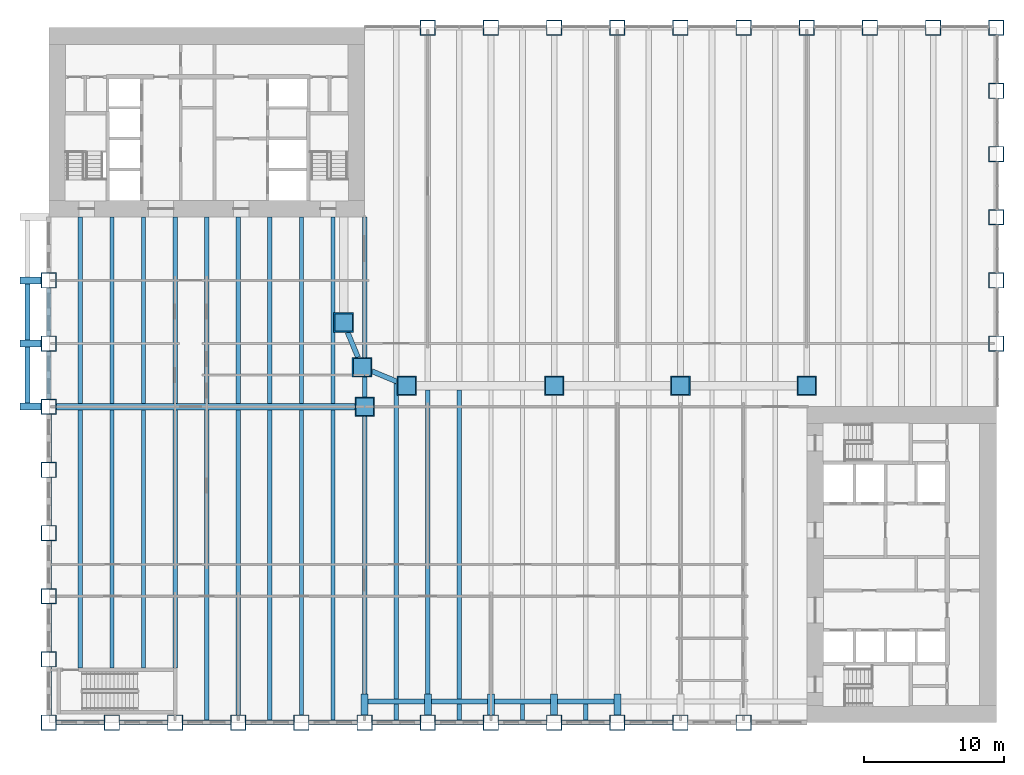
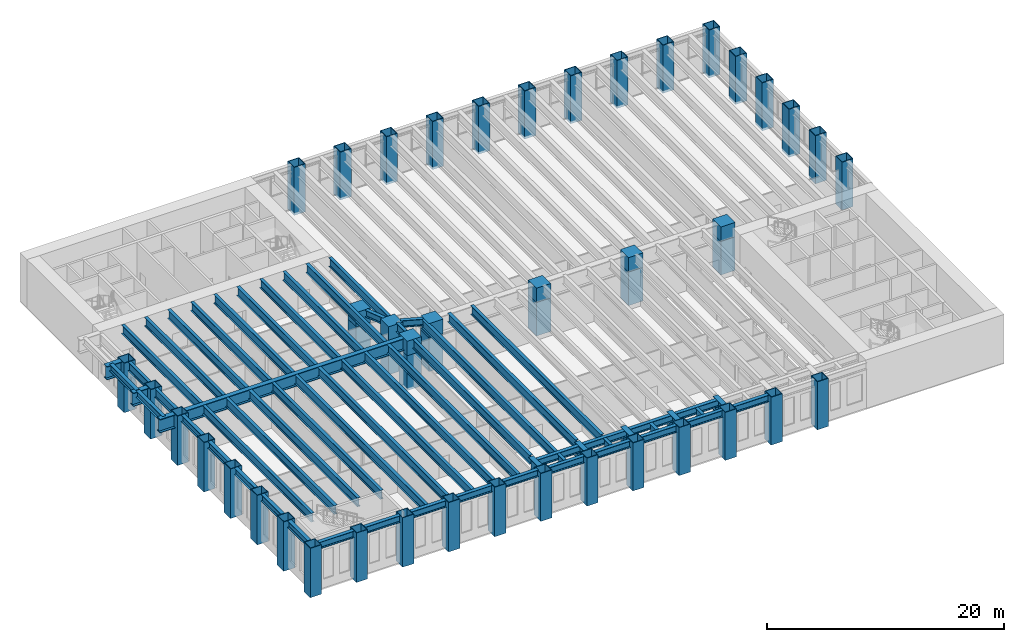
# One storey, part 1 of 21: 62 beams, 48 columns.
"""IFC4 building model written with IfcOpenShell, lengths in metres."""

from ifc_helpers import new_model, si_unit, direction, frame, origin, origin_2d, place, context, subcontext, project, spatial, rectangle, hollow_rectangle, i_section, extrude, material, material_profile, profile_set, type_object, element, save


model = new_model("IFC4")

# Units and contexts
model_context = context("Model", 3, precision=1e-05, world=origin(), true_north=direction((0.0, 1.0)))
body_context = subcontext(model_context, "Body", "Model", "MODEL_VIEW")
ifc_project = project(units=[si_unit("LENGTHUNIT", "METRE"), si_unit("AREAUNIT", "SQUARE_METRE"), si_unit("VOLUMEUNIT", "CUBIC_METRE"), si_unit("PLANEANGLEUNIT", "RADIAN"), si_unit("MASSUNIT", "GRAM", prefix="KILO")], contexts=[model_context])

# Site, building, storey
site_placement = place(None, origin())
site = spatial("IfcSite", under=ifc_project, at=site_placement, CompositionType="ELEMENT")
building_placement = place(site_placement, origin())
building = spatial("IfcBuilding", under=site, at=building_placement, Name="Sennacour Bend Tower", CompositionType="ELEMENT")
storey_placement = place(building_placement, frame((0.0, 0.0, 24.0)))
storey = spatial("IfcBuildingStorey", under=building, at=storey_placement, Name="L04", CompositionType="ELEMENT", Elevation=24.0)

# Columns
ifc_material_1 = material(Name="Steel ASTM A572 Grade 50", Category="steel")
ifc_material_profile_1 = material_profile(ifc_material_1, hollow_rectangle(XDim=1.10009765625, YDim=1.10009765625, WallThickness=0.06005859375, at=origin_2d()), Name="Steel ASTM A572 Grade 50", Category="steel")
ifc_profile_set_1 = profile_set([ifc_material_profile_1], Name="Steel ASTM A572 Grade 50")
column_type_1 = type_object("IfcColumnType", Name="Box column 1100", PredefinedType="COLUMN", material=ifc_profile_set_1)
for number, where, z_axis, x_axis, name in (
    (1, (0.0, 0.0, -0.25), (0.0, 0.0, 1.0), (1.0, 0.0, 0.0), "Perimeter column C1 L04-001"),
    (2, (0.0, 4.5, -0.25), (0.0, 0.0, 1.0), (1.0, 0.0, 0.0), "Perimeter column C1 L04-002"),
    (3, (0.0, 9.0, -0.25), (0.0, 0.0, 1.0), (1.0, 0.0, 0.0), "Perimeter column C1 L04-003"),
    (4, (0.0, 13.5, -0.25), (0.0, 0.0, 1.0), (1.0, 0.0, 0.0), "Perimeter column C1 L04-004"),
    (5, (0.0, 18.0, -0.25), (0.0, 0.0, 1.0), (1.0, 0.0, 0.0), "Perimeter column C1 L04-005"),
    (6, (0.0, 22.5, -0.25), (0.0, 0.0, 1.0), (1.0, 0.0, 0.0), "Perimeter column C1 L04-006"),
    (7, (0.0, 27.0, -0.25), (0.0, 0.0, 1.0), (1.0, 0.0, 0.0), "Perimeter column C1 L04-007"),
    (8, (0.0, 31.5, -0.25), (0.0, 0.0, 1.0), (1.0, 0.0, 0.0), "Perimeter column C1 L04-008"),
    (9, (4.5, 0.0, -0.25), (0.0, 0.0, 1.0), (1.0, 0.0, 0.0), "Perimeter column C1 L04-009"),
    (10, (9.0, 0.0, -0.25), (0.0, 0.0, 1.0), (1.0, 0.0, 0.0), "Perimeter column C1 L04-010"),
    (11, (13.5, 0.0, -0.25), (0.0, 0.0, 1.0), (1.0, 0.0, 0.0), "Perimeter column C1 L04-011"),
    (12, (18.0, 0.0, -0.25), (0.0, 0.0, 1.0), (1.0, 0.0, 0.0), "Perimeter column C1 L04-012"),
):
    element("IfcColumn", number, at=place(storey_placement, frame(where, z_axis=z_axis, x_axis=x_axis)), inside=storey, type_object=column_type_1, Name=name, PredefinedType="COLUMN", context=body_context, shape_type="SweptSolid", body=[
        extrude(hollow_rectangle(XDim=1.10009765625, YDim=1.10009765625, WallThickness=0.06005859375, at=origin_2d()), origin(), (0.0, 0.0, 1.0), 5.10009765625),
    ])
for number, where, z_axis, x_axis, name in (
    (13, (22.5, 0.0, -0.25), (0.0, 0.0, 1.0), (1.0, 0.0, 0.0), "Perimeter column C1 L04-015"),
    (14, (27.0, 0.0, -0.25), (0.0, 0.0, 1.0), (1.0, 0.0, 0.0), "Perimeter column C1 L04-018"),
    (15, (27.0, 49.5, -0.25), (0.0, 0.0, 1.0), (1.0, 0.0, 0.0), "Perimeter column C1 L04-019"),
    (16, (31.5, 0.0, -0.25), (0.0, 0.0, 1.0), (1.0, 0.0, 0.0), "Perimeter column C1 L04-020"),
    (17, (31.5, 49.5, -0.25), (0.0, 0.0, 1.0), (1.0, 0.0, 0.0), "Perimeter column C1 L04-021"),
    (18, (36.0, 0.0, -0.25), (0.0, 0.0, 1.0), (1.0, 0.0, 0.0), "Perimeter column C1 L04-022"),
    (19, (36.0, 49.5, -0.25), (0.0, 0.0, 1.0), (1.0, 0.0, 0.0), "Perimeter column C1 L04-024"),
    (20, (40.5, 0.0, -0.25), (0.0, 0.0, 1.0), (1.0, 0.0, 0.0), "Perimeter column C1 L04-025"),
    (21, (40.5, 49.5, -0.25), (0.0, 0.0, 1.0), (1.0, 0.0, 0.0), "Perimeter column C1 L04-026"),
    (22, (45.0, 0.0, -0.25), (0.0, 0.0, 1.0), (1.0, 0.0, 0.0), "Perimeter column C1 L04-027"),
    (23, (45.0, 49.5, -0.25), (0.0, 0.0, 1.0), (1.0, 0.0, 0.0), "Perimeter column C1 L04-029"),
    (24, (49.5, 0.0, -0.25), (0.0, 0.0, 1.0), (1.0, 0.0, 0.0), "Perimeter column C1 L04-030"),
    (25, (49.5, 49.5, -0.25), (0.0, 0.0, 1.0), (1.0, 0.0, 0.0), "Perimeter column C1 L04-031"),
    (26, (54.0, 49.5, -0.25), (0.0, 0.0, 1.0), (1.0, 0.0, 0.0), "Perimeter column C1 L04-033"),
    (27, (58.5, 49.5, -0.25), (0.0, 0.0, 1.0), (1.0, 0.0, 0.0), "Perimeter column C1 L04-034"),
    (28, (63.0, 49.5, -0.25), (0.0, 0.0, 1.0), (1.0, 0.0, 0.0), "Perimeter column C1 L04-035"),
    (29, (67.5, 27.0, -0.25), (0.0, 0.0, 1.0), (1.0, 0.0, 0.0), "Perimeter column C1 L04-036"),
    (30, (67.5, 31.5, -0.25), (0.0, 0.0, 1.0), (1.0, 0.0, 0.0), "Perimeter column C1 L04-037"),
    (31, (67.5, 36.0, -0.25), (0.0, 0.0, 1.0), (1.0, 0.0, 0.0), "Perimeter column C1 L04-038"),
    (32, (67.5, 40.5, -0.25), (0.0, 0.0, 1.0), (1.0, 0.0, 0.0), "Perimeter column C1 L04-039"),
    (33, (67.5, 45.0, -0.25), (0.0, 0.0, 1.0), (1.0, 0.0, 0.0), "Perimeter column C1 L04-040"),
    (34, (67.5, 49.5, -0.25), (0.0, 0.0, 1.0), (1.0, 0.0, 0.0), "Perimeter column C1 L04-041"),
):
    element("IfcColumn", number, at=place(storey_placement, frame(where, z_axis=z_axis, x_axis=x_axis)), inside=storey, type_object=column_type_1, Name=name, PredefinedType="COLUMN", context=body_context, shape_type="SweptSolid", body=[
        extrude(hollow_rectangle(XDim=1.10009765625, YDim=1.10009765625, WallThickness=0.06005859375, at=origin_2d()), origin(), (0.0, 0.0, 1.0), 4.949951171875),
    ])
ifc_material_profile_2 = material_profile(ifc_material_1, rectangle(XDim=1.39990234375, YDim=1.39990234375, at=origin_2d()), Name="Steel ASTM A572 Grade 50", Category="steel")
ifc_profile_set_2 = profile_set([ifc_material_profile_2], Name="Steel ASTM A572 Grade 50")
column_type_2 = type_object("IfcColumnType", Name="Column head block 1400", PredefinedType="COLUMN", material=ifc_profile_set_2)
for number, where, z_axis, x_axis, name in (
    (35, (21.0, 28.5, 3.199951171875), (0.0, 0.0, 1.0), (1.0, 0.0, 0.0), "Column head block L04-013"),
    (36, (22.318115234375, 25.318115234375, 3.199951171875), (0.0, 0.0, 1.0), (1.0, 0.0, 0.0), "Column head block L04-014"),
    (37, (22.5, 22.5, 3.35009765625), (0.0, 0.0, 1.0), (1.0, 0.0, 0.0), "Column head block L04-016"),
    (38, (25.5, 24.0, 3.199951171875), (0.0, 0.0, 1.0), (1.0, 0.0, 0.0), "Column head block L04-017"),
    (39, (36.0, 24.0, 3.199951171875), (0.0, 0.0, 1.0), (1.0, 0.0, 0.0), "Column head block L04-023"),
    (40, (45.0, 24.0, 3.199951171875), (0.0, 0.0, 1.0), (1.0, 0.0, 0.0), "Column head block L04-028"),
    (41, (54.0, 24.0, 3.199951171875), (0.0, 0.0, 1.0), (1.0, 0.0, 0.0), "Column head block L04-032"),
):
    element("IfcColumn", number, at=place(storey_placement, frame(where, z_axis=z_axis, x_axis=x_axis)), inside=storey, type_object=column_type_2, Name=name, PredefinedType="COLUMN", context=body_context, shape_type="SweptSolid", body=[
        extrude(rectangle(XDim=1.39990234375, YDim=1.39990234375, at=origin_2d()), origin(), (0.0, 0.0, 1.0), 1.5),
    ])
ifc_material_profile_3 = material_profile(ifc_material_1, hollow_rectangle(XDim=1.39990234375, YDim=1.39990234375, WallThickness=0.080078125, at=origin_2d()), Name="Steel ASTM A572 Grade 50", Category="steel")
ifc_profile_set_3 = profile_set([ifc_material_profile_3], Name="Steel ASTM A572 Grade 50")
column_type_3 = type_object("IfcColumnType", Name="Mega box column 1400", PredefinedType="COLUMN", material=ifc_profile_set_3)
for number, where, z_axis, x_axis, name in (
    (42, (21.0, 28.5, -0.25), (0.0, 0.0, 1.0), (1.0, 0.0, 0.0), "Mega column C0 L04-013"),
    (43, (22.318115234375, 25.318115234375, -0.25), (0.0, 0.0, 1.0), (1.0, 0.0, 0.0), "Mega column C0 L04-014"),
):
    element("IfcColumn", number, at=place(storey_placement, frame(where, z_axis=z_axis, x_axis=x_axis)), inside=storey, type_object=column_type_3, Name=name, PredefinedType="COLUMN", context=body_context, shape_type="SweptSolid", body=[
        extrude(hollow_rectangle(XDim=1.39990234375, YDim=1.39990234375, WallThickness=0.080078125, at=origin_2d()), origin(), (0.0, 0.0, 1.0), 3.449951171875),
    ])
column_placement = place(storey_placement, frame((22.5, 22.5, -0.25), z_axis=(0.0, 0.0, 1.0), x_axis=(1.0, 0.0, 0.0)))
element("IfcColumn", 44, at=column_placement, inside=storey, type_object=column_type_3, Name="Knuckle column C0 L04-016", PredefinedType="COLUMN", context=body_context, shape_type="SweptSolid", body=[
    extrude(hollow_rectangle(XDim=1.39990234375, YDim=1.39990234375, WallThickness=0.080078125, at=origin_2d()), origin(), (0.0, 0.0, 1.0), 3.60009765625),
])
for number, where, z_axis, x_axis, name in (
    (45, (25.5, 24.0, -0.25), (0.0, 0.0, 1.0), (1.0, 0.0, 0.0), "Mega column C0 L04-017"),
    (46, (36.0, 24.0, -0.25), (0.0, 0.0, 1.0), (1.0, 0.0, 0.0), "Mega column C0 L04-023"),
    (47, (45.0, 24.0, -0.25), (0.0, 0.0, 1.0), (1.0, 0.0, 0.0), "Mega column C0 L04-028"),
    (48, (54.0, 24.0, -0.25), (0.0, 0.0, 1.0), (1.0, 0.0, 0.0), "Mega column C0 L04-032"),
):
    element("IfcColumn", number, at=place(storey_placement, frame(where, z_axis=z_axis, x_axis=x_axis)), inside=storey, type_object=column_type_3, Name=name, PredefinedType="COLUMN", context=body_context, shape_type="SweptSolid", body=[
        extrude(hollow_rectangle(XDim=1.39990234375, YDim=1.39990234375, WallThickness=0.080078125, at=origin_2d()), origin(), (0.0, 0.0, 1.0), 3.449951171875),
    ])

# Beams
ifc_material_2 = material(Name="Steel ASTM A992 Grade 50", Category="steel")
ifc_material_profile_4 = material_profile(ifc_material_2, i_section(OverallWidth=0.304931640625, OverallDepth=0.912109375, WebThickness=0.015869140625, FlangeThickness=0.02392578125, FilletRadius=0.01904296875, at=origin_2d()), Name="Steel ASTM A992 Grade 50", Category="steel")
ifc_profile_set_4 = profile_set([ifc_material_profile_4], Name="Steel ASTM A992 Grade 50")
beam_type_1 = type_object("IfcBeamType", Name="Floor beam W920X223", PredefinedType="BEAM", material=ifc_profile_set_4)
for number, where, z_axis, x_axis, name in (
    (49, (0.0, 23.050048828125, 4.39404296875), (0.0, 1.0, 0.0), (-1.0, 0.0, 0.0), "Floor beam FBM1 L05-001"),
    (50, (0.0, 27.550048828125, 4.39404296875), (0.0, 1.0, 0.0), (-1.0, 0.0, 0.0), "Floor beam FBM1 L05-002"),
):
    element("IfcBeam", number, at=place(storey_placement, frame(where, z_axis=z_axis, x_axis=x_axis)), inside=storey, type_object=beam_type_1, Name=name, PredefinedType="BEAM", context=body_context, shape_type="SweptSolid", body=[
        extrude(i_section(OverallWidth=0.304931640625, OverallDepth=0.912109375, WebThickness=0.015869140625, FlangeThickness=0.02392578125, FilletRadius=0.01904296875, at=origin_2d()), origin(), (0.0, 0.0, 1.0), 3.39990234375),
    ])
beam_1_placement = place(storey_placement, frame((2.25, 3.875, 4.39404296875), z_axis=(0.0, 1.0, 0.0), x_axis=(-1.0, 0.0, 0.0)))
element("IfcBeam", 51, at=beam_1_placement, inside=storey, type_object=beam_type_1, Name="Floor beam FBM1 L05-004", PredefinedType="BEAM", context=body_context, shape_type="SweptSolid", body=[
    extrude(i_section(OverallWidth=0.304931640625, OverallDepth=0.912109375, WebThickness=0.015869140625, FlangeThickness=0.02392578125, FilletRadius=0.01904296875, at=origin_2d()), origin(), (0.0, 0.0, 1.0), 18.39990234375),
])
beam_2_placement = place(storey_placement, frame((2.25, 22.72509765625, 4.39404296875), z_axis=(0.0, 1.0, 0.0), x_axis=(-1.0, 0.0, 0.0)))
element("IfcBeam", 52, at=beam_2_placement, inside=storey, type_object=beam_type_1, Name="Floor beam FBM1 L05-005", PredefinedType="BEAM", context=body_context, shape_type="SweptSolid", body=[
    extrude(i_section(OverallWidth=0.304931640625, OverallDepth=0.912109375, WebThickness=0.015869140625, FlangeThickness=0.02392578125, FilletRadius=0.01904296875, at=origin_2d()), origin(), (0.0, 0.0, 1.0), 13.27490234375),
])
beam_3_placement = place(storey_placement, frame((4.5, 3.875, 4.39404296875), z_axis=(0.0, 1.0, 0.0), x_axis=(-1.0, 0.0, 0.0)))
element("IfcBeam", 53, at=beam_3_placement, inside=storey, type_object=beam_type_1, Name="Floor beam FBM1 L05-006", PredefinedType="BEAM", context=body_context, shape_type="SweptSolid", body=[
    extrude(i_section(OverallWidth=0.304931640625, OverallDepth=0.912109375, WebThickness=0.015869140625, FlangeThickness=0.02392578125, FilletRadius=0.01904296875, at=origin_2d()), origin(), (0.0, 0.0, 1.0), 18.39990234375),
])
beam_4_placement = place(storey_placement, frame((4.5, 22.72509765625, 4.39404296875), z_axis=(0.0, 1.0, 0.0), x_axis=(-1.0, 0.0, 0.0)))
element("IfcBeam", 54, at=beam_4_placement, inside=storey, type_object=beam_type_1, Name="Floor beam FBM1 L05-007", PredefinedType="BEAM", context=body_context, shape_type="SweptSolid", body=[
    extrude(i_section(OverallWidth=0.304931640625, OverallDepth=0.912109375, WebThickness=0.015869140625, FlangeThickness=0.02392578125, FilletRadius=0.01904296875, at=origin_2d()), origin(), (0.0, 0.0, 1.0), 13.27490234375),
])
beam_5_placement = place(storey_placement, frame((6.75, 3.875, 4.39404296875), z_axis=(0.0, 1.0, 0.0), x_axis=(-1.0, 0.0, 0.0)))
element("IfcBeam", 55, at=beam_5_placement, inside=storey, type_object=beam_type_1, Name="Floor beam FBM1 L05-008", PredefinedType="BEAM", context=body_context, shape_type="SweptSolid", body=[
    extrude(i_section(OverallWidth=0.304931640625, OverallDepth=0.912109375, WebThickness=0.015869140625, FlangeThickness=0.02392578125, FilletRadius=0.01904296875, at=origin_2d()), origin(), (0.0, 0.0, 1.0), 18.39990234375),
])
beam_6_placement = place(storey_placement, frame((6.75, 22.72509765625, 4.39404296875), z_axis=(0.0, 1.0, 0.0), x_axis=(-1.0, 0.0, 0.0)))
element("IfcBeam", 56, at=beam_6_placement, inside=storey, type_object=beam_type_1, Name="Floor beam FBM1 L05-009", PredefinedType="BEAM", context=body_context, shape_type="SweptSolid", body=[
    extrude(i_section(OverallWidth=0.304931640625, OverallDepth=0.912109375, WebThickness=0.015869140625, FlangeThickness=0.02392578125, FilletRadius=0.01904296875, at=origin_2d()), origin(), (0.0, 0.0, 1.0), 13.27490234375),
])
beam_7_placement = place(storey_placement, frame((9.0, 3.875, 4.39404296875), z_axis=(0.0, 1.0, 0.0), x_axis=(-1.0, 0.0, 0.0)))
element("IfcBeam", 57, at=beam_7_placement, inside=storey, type_object=beam_type_1, Name="Floor beam FBM1 L05-010", PredefinedType="BEAM", context=body_context, shape_type="SweptSolid", body=[
    extrude(i_section(OverallWidth=0.304931640625, OverallDepth=0.912109375, WebThickness=0.015869140625, FlangeThickness=0.02392578125, FilletRadius=0.01904296875, at=origin_2d()), origin(), (0.0, 0.0, 1.0), 18.39990234375),
])
beam_8_placement = place(storey_placement, frame((9.0, 22.72509765625, 4.39404296875), z_axis=(0.0, 1.0, 0.0), x_axis=(-1.0, 0.0, 0.0)))
element("IfcBeam", 58, at=beam_8_placement, inside=storey, type_object=beam_type_1, Name="Floor beam FBM1 L05-011", PredefinedType="BEAM", context=body_context, shape_type="SweptSolid", body=[
    extrude(i_section(OverallWidth=0.304931640625, OverallDepth=0.912109375, WebThickness=0.015869140625, FlangeThickness=0.02392578125, FilletRadius=0.01904296875, at=origin_2d()), origin(), (0.0, 0.0, 1.0), 13.27490234375),
])
beam_9_placement = place(storey_placement, frame((11.25, 0.178955078125, 4.39404296875), z_axis=(0.0, 1.0, 0.0), x_axis=(-1.0, 0.0, 0.0)))
element("IfcBeam", 59, at=beam_9_placement, inside=storey, type_object=beam_type_1, Name="Floor beam FBM1 L05-012", PredefinedType="BEAM", context=body_context, shape_type="SweptSolid", body=[
    extrude(i_section(OverallWidth=0.304931640625, OverallDepth=0.912109375, WebThickness=0.015869140625, FlangeThickness=0.02392578125, FilletRadius=0.01904296875, at=origin_2d()), origin(), (0.0, 0.0, 1.0), 22.095947265625),
])
beam_10_placement = place(storey_placement, frame((11.25, 22.72509765625, 4.39404296875), z_axis=(0.0, 1.0, 0.0), x_axis=(-1.0, 0.0, 0.0)))
element("IfcBeam", 60, at=beam_10_placement, inside=storey, type_object=beam_type_1, Name="Floor beam FBM1 L05-013", PredefinedType="BEAM", context=body_context, shape_type="SweptSolid", body=[
    extrude(i_section(OverallWidth=0.304931640625, OverallDepth=0.912109375, WebThickness=0.015869140625, FlangeThickness=0.02392578125, FilletRadius=0.01904296875, at=origin_2d()), origin(), (0.0, 0.0, 1.0), 13.27490234375),
])
beam_11_placement = place(storey_placement, frame((13.5, 0.550048828125, 4.39404296875), z_axis=(0.0, 1.0, 0.0), x_axis=(-1.0, 0.0, 0.0)))
element("IfcBeam", 61, at=beam_11_placement, inside=storey, type_object=beam_type_1, Name="Floor beam FBM1 L05-014", PredefinedType="BEAM", context=body_context, shape_type="SweptSolid", body=[
    extrude(i_section(OverallWidth=0.304931640625, OverallDepth=0.912109375, WebThickness=0.015869140625, FlangeThickness=0.02392578125, FilletRadius=0.01904296875, at=origin_2d()), origin(), (0.0, 0.0, 1.0), 21.724853515625),
])
beam_12_placement = place(storey_placement, frame((13.5, 22.72509765625, 4.39404296875), z_axis=(0.0, 1.0, 0.0), x_axis=(-1.0, 0.0, 0.0)))
element("IfcBeam", 62, at=beam_12_placement, inside=storey, type_object=beam_type_1, Name="Floor beam FBM1 L05-015", PredefinedType="BEAM", context=body_context, shape_type="SweptSolid", body=[
    extrude(i_section(OverallWidth=0.304931640625, OverallDepth=0.912109375, WebThickness=0.015869140625, FlangeThickness=0.02392578125, FilletRadius=0.01904296875, at=origin_2d()), origin(), (0.0, 0.0, 1.0), 13.27490234375),
])
beam_13_placement = place(storey_placement, frame((15.75, 0.178955078125, 4.39404296875), z_axis=(0.0, 1.0, 0.0), x_axis=(-1.0, 0.0, 0.0)))
element("IfcBeam", 63, at=beam_13_placement, inside=storey, type_object=beam_type_1, Name="Floor beam FBM1 L05-016", PredefinedType="BEAM", context=body_context, shape_type="SweptSolid", body=[
    extrude(i_section(OverallWidth=0.304931640625, OverallDepth=0.912109375, WebThickness=0.015869140625, FlangeThickness=0.02392578125, FilletRadius=0.01904296875, at=origin_2d()), origin(), (0.0, 0.0, 1.0), 22.095947265625),
])
beam_14_placement = place(storey_placement, frame((15.75, 22.72509765625, 4.39404296875), z_axis=(0.0, 1.0, 0.0), x_axis=(-1.0, 0.0, 0.0)))
element("IfcBeam", 64, at=beam_14_placement, inside=storey, type_object=beam_type_1, Name="Floor beam FBM1 L05-017", PredefinedType="BEAM", context=body_context, shape_type="SweptSolid", body=[
    extrude(i_section(OverallWidth=0.304931640625, OverallDepth=0.912109375, WebThickness=0.015869140625, FlangeThickness=0.02392578125, FilletRadius=0.01904296875, at=origin_2d()), origin(), (0.0, 0.0, 1.0), 13.27490234375),
])
beam_15_placement = place(storey_placement, frame((18.0, 0.550048828125, 4.39404296875), z_axis=(0.0, 1.0, 0.0), x_axis=(-1.0, 0.0, 0.0)))
element("IfcBeam", 65, at=beam_15_placement, inside=storey, type_object=beam_type_1, Name="Floor beam FBM1 L05-018", PredefinedType="BEAM", context=body_context, shape_type="SweptSolid", body=[
    extrude(i_section(OverallWidth=0.304931640625, OverallDepth=0.912109375, WebThickness=0.015869140625, FlangeThickness=0.02392578125, FilletRadius=0.01904296875, at=origin_2d()), origin(), (0.0, 0.0, 1.0), 21.724853515625),
])
beam_16_placement = place(storey_placement, frame((18.0, 22.72509765625, 4.39404296875), z_axis=(0.0, 1.0, 0.0), x_axis=(-1.0, 0.0, 0.0)))
element("IfcBeam", 66, at=beam_16_placement, inside=storey, type_object=beam_type_1, Name="Floor beam FBM1 L05-019", PredefinedType="BEAM", context=body_context, shape_type="SweptSolid", body=[
    extrude(i_section(OverallWidth=0.304931640625, OverallDepth=0.912109375, WebThickness=0.015869140625, FlangeThickness=0.02392578125, FilletRadius=0.01904296875, at=origin_2d()), origin(), (0.0, 0.0, 1.0), 13.27490234375),
])
beam_17_placement = place(storey_placement, frame((20.25, 0.178955078125, 4.39404296875), z_axis=(0.0, 1.0, 0.0), x_axis=(-1.0, 0.0, 0.0)))
element("IfcBeam", 67, at=beam_17_placement, inside=storey, type_object=beam_type_1, Name="Floor beam FBM1 L05-020", PredefinedType="BEAM", context=body_context, shape_type="SweptSolid", body=[
    extrude(i_section(OverallWidth=0.304931640625, OverallDepth=0.912109375, WebThickness=0.015869140625, FlangeThickness=0.02392578125, FilletRadius=0.01904296875, at=origin_2d()), origin(), (0.0, 0.0, 1.0), 22.095947265625),
])
beam_18_placement = place(storey_placement, frame((20.25, 22.72509765625, 4.39404296875), z_axis=(0.0, 1.0, 0.0), x_axis=(-1.0, 0.0, 0.0)))
element("IfcBeam", 68, at=beam_18_placement, inside=storey, type_object=beam_type_1, Name="Floor beam FBM1 L05-021", PredefinedType="BEAM", context=body_context, shape_type="SweptSolid", body=[
    extrude(i_section(OverallWidth=0.304931640625, OverallDepth=0.912109375, WebThickness=0.015869140625, FlangeThickness=0.02392578125, FilletRadius=0.01904296875, at=origin_2d()), origin(), (0.0, 0.0, 1.0), 13.27490234375),
])
beam_19_placement = place(storey_placement, frame((22.5, 2.050048828125, 4.39404296875), z_axis=(0.0, 1.0, 0.0), x_axis=(-1.0, 0.0, 0.0)))
element("IfcBeam", 69, at=beam_19_placement, inside=storey, type_object=beam_type_1, Name="Floor beam FBM1 L05-022", PredefinedType="BEAM", context=body_context, shape_type="SweptSolid", body=[
    extrude(i_section(OverallWidth=0.304931640625, OverallDepth=0.912109375, WebThickness=0.015869140625, FlangeThickness=0.02392578125, FilletRadius=0.01904296875, at=origin_2d()), origin(), (0.0, 0.0, 1.0), 19.75),
])
beam_20_placement = place(storey_placement, frame((22.5, 23.199951171875, 4.39404296875), z_axis=(0.0, 1.0, 0.0), x_axis=(-1.0, 0.0, 0.0)))
element("IfcBeam", 70, at=beam_20_placement, inside=storey, type_object=beam_type_1, Name="Floor beam FBM1 L05-023", PredefinedType="BEAM", context=body_context, shape_type="SweptSolid", body=[
    extrude(i_section(OverallWidth=0.304931640625, OverallDepth=0.912109375, WebThickness=0.015869140625, FlangeThickness=0.02392578125, FilletRadius=0.01904296875, at=origin_2d()), origin(), (0.0, 0.0, 1.0), 1.41796875),
])
beam_21_placement = place(storey_placement, frame((22.5, 26.01806640625, 4.243896484375), z_axis=(0.0, 1.0, 0.0), x_axis=(-1.0, 0.0, 0.0)))
element("IfcBeam", 71, at=beam_21_placement, inside=storey, type_object=beam_type_1, Name="Floor beam FBM1 L05-024", PredefinedType="BEAM", context=body_context, shape_type="SweptSolid", body=[
    extrude(i_section(OverallWidth=0.304931640625, OverallDepth=0.912109375, WebThickness=0.015869140625, FlangeThickness=0.02392578125, FilletRadius=0.01904296875, at=origin_2d()), origin(), (0.0, 0.0, 1.0), 9.98193359375),
])
beam_22_placement = place(storey_placement, frame((24.75, 0.178955078125, 4.243896484375), z_axis=(0.0, 1.0, 0.0), x_axis=(-1.0, 0.0, 0.0)))
element("IfcBeam", 72, at=beam_22_placement, inside=storey, type_object=beam_type_1, Name="Floor beam FBM1 L05-025", PredefinedType="BEAM", context=body_context, shape_type="SweptSolid", body=[
    extrude(i_section(OverallWidth=0.304931640625, OverallDepth=0.912109375, WebThickness=0.015869140625, FlangeThickness=0.02392578125, FilletRadius=0.01904296875, at=origin_2d()), origin(), (0.0, 0.0, 1.0), 1.14208984375),
])
beam_23_placement = place(storey_placement, frame((24.75, 1.678955078125, 4.243896484375), z_axis=(0.0, 1.0, 0.0), x_axis=(-1.0, 0.0, 0.0)))
element("IfcBeam", 73, at=beam_23_placement, inside=storey, type_object=beam_type_1, Name="Floor beam FBM1 L05-026", PredefinedType="BEAM", context=body_context, shape_type="SweptSolid", body=[
    extrude(i_section(OverallWidth=0.304931640625, OverallDepth=0.912109375, WebThickness=0.015869140625, FlangeThickness=0.02392578125, FilletRadius=0.01904296875, at=origin_2d()), origin(), (0.0, 0.0, 1.0), 22.490234375),
])
beam_24_placement = place(storey_placement, frame((27.0, 2.050048828125, 4.39404296875), z_axis=(0.0, 1.0, 0.0), x_axis=(-1.0, 0.0, 0.0)))
element("IfcBeam", 74, at=beam_24_placement, inside=storey, type_object=beam_type_1, Name="Floor beam FBM1 L05-028", PredefinedType="BEAM", context=body_context, shape_type="SweptSolid", body=[
    extrude(i_section(OverallWidth=0.304931640625, OverallDepth=0.912109375, WebThickness=0.015869140625, FlangeThickness=0.02392578125, FilletRadius=0.01904296875, at=origin_2d()), origin(), (0.0, 0.0, 1.0), 21.64990234375),
])
beam_25_placement = place(storey_placement, frame((29.25, 0.178955078125, 4.243896484375), z_axis=(0.0, 1.0, 0.0), x_axis=(-1.0, 0.0, 0.0)))
element("IfcBeam", 75, at=beam_25_placement, inside=storey, type_object=beam_type_1, Name="Floor beam FBM1 L05-030", PredefinedType="BEAM", context=body_context, shape_type="SweptSolid", body=[
    extrude(i_section(OverallWidth=0.304931640625, OverallDepth=0.912109375, WebThickness=0.015869140625, FlangeThickness=0.02392578125, FilletRadius=0.01904296875, at=origin_2d()), origin(), (0.0, 0.0, 1.0), 1.14208984375),
])
beam_26_placement = place(storey_placement, frame((29.25, 1.678955078125, 4.39404296875), z_axis=(0.0, 1.0, 0.0), x_axis=(-1.0, 0.0, 0.0)))
element("IfcBeam", 76, at=beam_26_placement, inside=storey, type_object=beam_type_1, Name="Floor beam FBM1 L05-031", PredefinedType="BEAM", context=body_context, shape_type="SweptSolid", body=[
    extrude(i_section(OverallWidth=0.304931640625, OverallDepth=0.912109375, WebThickness=0.015869140625, FlangeThickness=0.02392578125, FilletRadius=0.01904296875, at=origin_2d()), origin(), (0.0, 0.0, 1.0), 22.02099609375),
])
for number, where, z_axis, x_axis, name in (
    (77, (33.75, 0.178955078125, 4.243896484375), (0.0, 1.0, 0.0), (-1.0, 0.0, 0.0), "Floor beam FBM1 L05-035"),
    (78, (38.25, 0.178955078125, 4.243896484375), (0.0, 1.0, 0.0), (-1.0, 0.0, 0.0), "Floor beam FBM1 L05-040"),
):
    element("IfcBeam", number, at=place(storey_placement, frame(where, z_axis=z_axis, x_axis=x_axis)), inside=storey, type_object=beam_type_1, Name=name, PredefinedType="BEAM", context=body_context, shape_type="SweptSolid", body=[
        extrude(i_section(OverallWidth=0.304931640625, OverallDepth=0.912109375, WebThickness=0.015869140625, FlangeThickness=0.02392578125, FilletRadius=0.01904296875, at=origin_2d()), origin(), (0.0, 0.0, 1.0), 1.14208984375),
    ])
ifc_material_profile_5 = material_profile(ifc_material_1, i_section(OverallWidth=0.449951171875, OverallDepth=1.25, WebThickness=0.028076171875, FlangeThickness=0.050048828125, at=origin_2d()), Name="Steel ASTM A572 Grade 50", Category="steel")
ifc_profile_set_5 = profile_set([ifc_material_profile_5], Name="Steel ASTM A572 Grade 50")
beam_type_2 = type_object("IfcBeamType", Name="Knuckle girder 1250", PredefinedType="USERDEFINED", material=ifc_profile_set_5)
beam_27_placement = place(storey_placement, frame((0.550048828125, 22.5, 4.22509765625), z_axis=(1.0, 0.0, 0.0), x_axis=(0.0, 1.0, 0.0)))
element("IfcBeam", 79, at=beam_27_placement, inside=storey, type_object=beam_type_2, Name="Knuckle girder GK L05-001", ObjectType="KNUCKLE GIRDER", PredefinedType="USERDEFINED", context=body_context, shape_type="SweptSolid", body=[
    extrude(i_section(OverallWidth=0.449951171875, OverallDepth=1.25, WebThickness=0.028076171875, FlangeThickness=0.050048828125, at=origin_2d()), origin(), (0.0, 0.0, 1.0), 21.25),
])
ifc_material_profile_6 = material_profile(ifc_material_2, i_section(OverallWidth=0.35791015625, OverallDepth=0.7060546875, WebThickness=0.018310546875, FlangeThickness=0.0302734375, FilletRadius=0.02001953125, at=origin_2d()), Name="Steel ASTM A992 Grade 50", Category="steel")
ifc_profile_set_6 = profile_set([ifc_material_profile_6], Name="Steel ASTM A992 Grade 50")
beam_type_3 = type_object("IfcBeamType", Name="Spandrel beam W690X265", PredefinedType="SPANDREL", material=ifc_profile_set_6)
for number, where, z_axis, x_axis, name in (
    (80, (0.0, 0.550048828125, 4.4970703125), (0.0, 1.0, 0.0), (-1.0, 0.0, 0.0), "Spandrel beam SP2 L05-001"),
    (81, (0.0, 5.050048828125, 4.4970703125), (0.0, 1.0, 0.0), (-1.0, 0.0, 0.0), "Spandrel beam SP2 L05-002"),
    (82, (0.0, 9.550048828125, 4.4970703125), (0.0, 1.0, 0.0), (-1.0, 0.0, 0.0), "Spandrel beam SP2 L05-003"),
    (83, (0.0, 14.050048828125, 4.4970703125), (0.0, 1.0, 0.0), (-1.0, 0.0, 0.0), "Spandrel beam SP2 L05-004"),
    (84, (0.0, 18.550048828125, 4.4970703125), (0.0, 1.0, 0.0), (-1.0, 0.0, 0.0), "Spandrel beam SP2 L05-005"),
):
    element("IfcBeam", number, at=place(storey_placement, frame(where, z_axis=z_axis, x_axis=x_axis)), inside=storey, type_object=beam_type_3, Name=name, PredefinedType="SPANDREL", context=body_context, shape_type="SweptSolid", body=[
        extrude(i_section(OverallWidth=0.35791015625, OverallDepth=0.7060546875, WebThickness=0.018310546875, FlangeThickness=0.0302734375, FilletRadius=0.02001953125, at=origin_2d()), origin(), (0.0, 0.0, 1.0), 3.39990234375),
    ])
for number, where, z_axis, x_axis, name in (
    (85, (-1.5, 22.514892578125, 4.4970703125), (0.0, 1.0, 0.0), (-1.0, 0.0, 0.0), "Spandrel beam SP2 L05-006"),
    (86, (-1.5, 27.014892578125, 4.4970703125), (0.0, 1.0, 0.0), (-1.0, 0.0, 0.0), "Spandrel beam SP2 L05-007"),
):
    element("IfcBeam", number, at=place(storey_placement, frame(where, z_axis=z_axis, x_axis=x_axis)), inside=storey, type_object=beam_type_3, Name=name, PredefinedType="SPANDREL", context=body_context, shape_type="SweptSolid", body=[
        extrude(i_section(OverallWidth=0.35791015625, OverallDepth=0.7060546875, WebThickness=0.018310546875, FlangeThickness=0.0302734375, FilletRadius=0.02001953125, at=origin_2d()), origin(), (0.0, 0.0, 1.0), 4.47021484375),
    ])
for number, where, z_axis, x_axis, name in (
    (87, (21.2900390625, 27.800048828125, 4.346923828125), (0.382646180293, -0.923894961945, 0.0), (0.923894961945, 0.382646180293, 0.0), "Spandrel beam SP2 L05-009"),
    (88, (23.01806640625, 25.028076171875, 4.346923828125), (0.923894961945, -0.382646180293, 0.0), (0.382646180293, 0.923894961945, 0.0), "Spandrel beam SP2 L05-010"),
):
    element("IfcBeam", number, at=place(storey_placement, frame(where, z_axis=z_axis, x_axis=x_axis)), inside=storey, type_object=beam_type_3, Name=name, PredefinedType="SPANDREL", context=body_context, shape_type="SweptSolid", body=[
        extrude(i_section(OverallWidth=0.35791015625, OverallDepth=0.7060546875, WebThickness=0.018310546875, FlangeThickness=0.0302734375, FilletRadius=0.02001953125, at=origin_2d()), origin(), (0.0, 0.0, 1.0), 1.9287109375),
    ])
for number, where, z_axis, x_axis, name in (
    (89, (40.485107421875, 1.5, 4.346923828125), (-1.0, 0.0, 0.0), (0.0, -1.0, 0.0), "Spandrel beam SP2 L05-014"),
    (90, (35.985107421875, 1.5, 4.346923828125), (-1.0, 0.0, 0.0), (0.0, -1.0, 0.0), "Spandrel beam SP2 L05-015"),
    (91, (31.485107421875, 1.5, 4.346923828125), (-1.0, 0.0, 0.0), (0.0, -1.0, 0.0), "Spandrel beam SP2 L05-016"),
    (92, (26.985107421875, 1.5, 4.346923828125), (-1.0, 0.0, 0.0), (0.0, -1.0, 0.0), "Spandrel beam SP2 L05-017"),
):
    element("IfcBeam", number, at=place(storey_placement, frame(where, z_axis=z_axis, x_axis=x_axis)), inside=storey, type_object=beam_type_3, Name=name, PredefinedType="SPANDREL", context=body_context, shape_type="SweptSolid", body=[
        extrude(i_section(OverallWidth=0.35791015625, OverallDepth=0.7060546875, WebThickness=0.018310546875, FlangeThickness=0.0302734375, FilletRadius=0.02001953125, at=origin_2d()), origin(), (0.0, 0.0, 1.0), 4.47021484375),
    ])
for number, where, z_axis, x_axis, name in (
    (93, (21.949951171875, 0.0, 4.4970703125), (-1.0, 0.0, 0.0), (0.0, -1.0, 0.0), "Spandrel beam SP2 L05-018"),
    (94, (17.449951171875, 0.0, 4.4970703125), (-1.0, 0.0, 0.0), (0.0, -1.0, 0.0), "Spandrel beam SP2 L05-019"),
    (95, (12.949951171875, 0.0, 4.4970703125), (-1.0, 0.0, 0.0), (0.0, -1.0, 0.0), "Spandrel beam SP2 L05-020"),
    (96, (8.449951171875, 0.0, 4.4970703125), (-1.0, 0.0, 0.0), (0.0, -1.0, 0.0), "Spandrel beam SP2 L05-021"),
    (97, (3.949951171875, 0.0, 4.4970703125), (-1.0, 0.0, 0.0), (0.0, -1.0, 0.0), "Spandrel beam SP2 L05-022"),
    (98, (44.449951171875, 0.0, 4.346923828125), (-1.0, 0.0, 0.0), (0.0, -1.0, 0.0), "Spandrel beam SP2 L05-041"),
    (99, (39.949951171875, 0.0, 4.346923828125), (-1.0, 0.0, 0.0), (0.0, -1.0, 0.0), "Spandrel beam SP2 L05-042"),
    (100, (35.449951171875, 0.0, 4.346923828125), (-1.0, 0.0, 0.0), (0.0, -1.0, 0.0), "Spandrel beam SP2 L05-043"),
    (101, (30.949951171875, 0.0, 4.346923828125), (-1.0, 0.0, 0.0), (0.0, -1.0, 0.0), "Spandrel beam SP2 L05-044"),
    (102, (26.449951171875, 0.0, 4.346923828125), (-1.0, 0.0, 0.0), (0.0, -1.0, 0.0), "Spandrel beam SP2 L05-045"),
):
    element("IfcBeam", number, at=place(storey_placement, frame(where, z_axis=z_axis, x_axis=x_axis)), inside=storey, type_object=beam_type_3, Name=name, PredefinedType="SPANDREL", context=body_context, shape_type="SweptSolid", body=[
        extrude(i_section(OverallWidth=0.35791015625, OverallDepth=0.7060546875, WebThickness=0.018310546875, FlangeThickness=0.0302734375, FilletRadius=0.02001953125, at=origin_2d()), origin(), (0.0, 0.0, 1.0), 3.39990234375),
    ])
ifc_material_profile_7 = material_profile(ifc_material_1, i_section(OverallWidth=0.5, OverallDepth=1.39990234375, WebThickness=0.030029296875, FlangeThickness=0.054931640625, at=origin_2d()), Name="Steel ASTM A572 Grade 50", Category="steel")
ifc_profile_set_7 = profile_set([ifc_material_profile_7], Name="Steel ASTM A572 Grade 50")
beam_type_4 = type_object("IfcBeamType", Name="Transfer stub 1400", PredefinedType="USERDEFINED", material=ifc_profile_set_7)
for number, where, z_axis, x_axis, name in (
    (103, (-0.550048828125, 22.5, 4.14990234375), (-1.0, 0.0, 0.0), (0.0, -1.0, 0.0), "Transfer beam TS L05-001"),
    (104, (-0.550048828125, 27.0, 4.14990234375), (-1.0, 0.0, 0.0), (0.0, -1.0, 0.0), "Transfer beam TS L05-002"),
    (105, (-0.550048828125, 31.5, 4.14990234375), (-1.0, 0.0, 0.0), (0.0, -1.0, 0.0), "Transfer beam TS L05-003"),
    (106, (22.5, 0.550048828125, 4.0), (0.0, 1.0, 0.0), (-1.0, 0.0, 0.0), "Transfer beam TS L05-005"),
    (107, (27.0, 0.550048828125, 4.0), (0.0, 1.0, 0.0), (-1.0, 0.0, 0.0), "Transfer beam TS L05-006"),
    (108, (31.5, 0.550048828125, 4.0), (0.0, 1.0, 0.0), (-1.0, 0.0, 0.0), "Transfer beam TS L05-007"),
    (109, (36.0, 0.550048828125, 4.0), (0.0, 1.0, 0.0), (-1.0, 0.0, 0.0), "Transfer beam TS L05-008"),
    (110, (40.5, 0.550048828125, 4.0), (0.0, 1.0, 0.0), (-1.0, 0.0, 0.0), "Transfer beam TS L05-009"),
):
    element("IfcBeam", number, at=place(storey_placement, frame(where, z_axis=z_axis, x_axis=x_axis)), inside=storey, type_object=beam_type_4, Name=name, ObjectType="TRANSFER BEAM", PredefinedType="USERDEFINED", context=body_context, shape_type="SweptSolid", body=[
        extrude(i_section(OverallWidth=0.5, OverallDepth=1.39990234375, WebThickness=0.030029296875, FlangeThickness=0.054931640625, at=origin_2d()), origin(), (0.0, 0.0, 1.0), 1.5),
    ])

save(model, "model.ifc")
